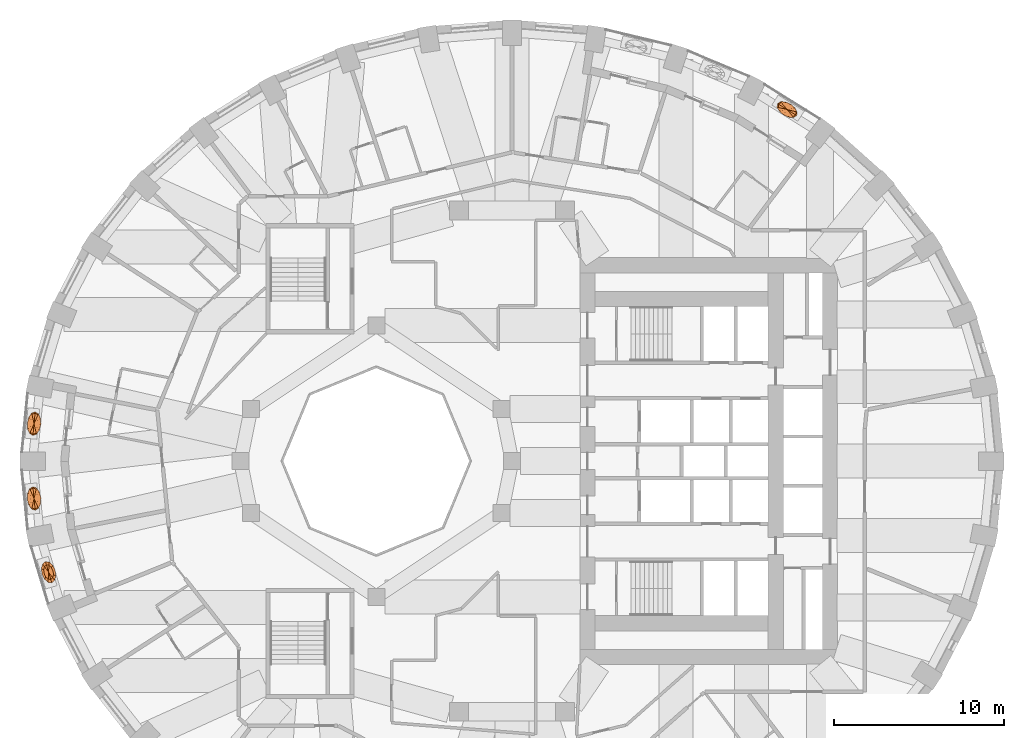
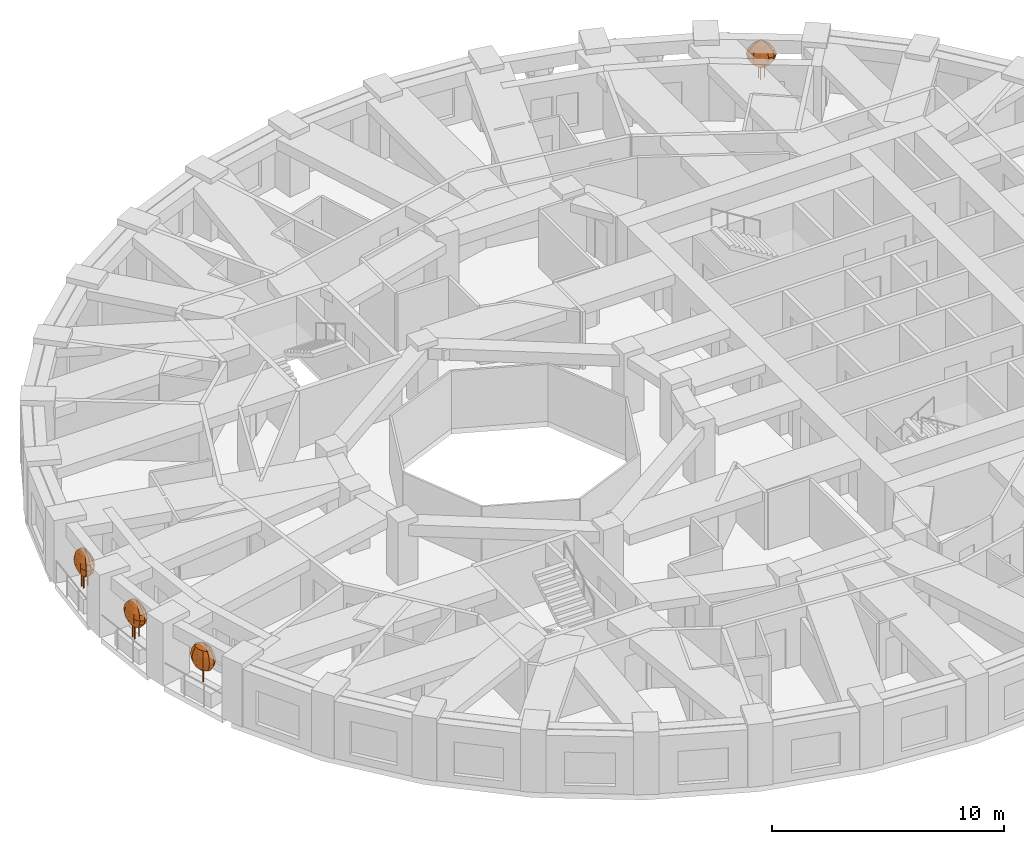
# One storey, part 12 of 13: 4 geographic elements.
"""IFC4 building model written with IfcOpenShell, lengths in metres."""

from ifc_helpers import new_model, si_unit, direction, frame, origin, place, context, subcontext, project, spatial, faceted_brep, material, constituent, constituent_set, type_object, element, save


model = new_model("IFC4")

# Units and contexts
model_context = context("Model", 3, precision=1e-05, world=origin(), true_north=direction((0.0, 1.0)))
body_context = subcontext(model_context, "Body", "Model", "MODEL_VIEW")
ifc_project = project(units=[si_unit("LENGTHUNIT", "METRE"), si_unit("AREAUNIT", "SQUARE_METRE"), si_unit("VOLUMEUNIT", "CUBIC_METRE"), si_unit("PLANEANGLEUNIT", "RADIAN"), si_unit("MASSUNIT", "GRAM", prefix="KILO")], contexts=[model_context])

# Site, building, storey
site_placement = place(None, origin())
site = spatial("IfcSite", under=ifc_project, at=site_placement, CompositionType="ELEMENT")
building_placement = place(site_placement, origin())
building = spatial("IfcBuilding", under=site, at=building_placement, Name="Taillehof Tower", CompositionType="ELEMENT")
storey_placement = place(building_placement, frame((0.0, 0.0, 61.300048828125)))
storey = spatial("IfcBuildingStorey", under=building, at=storey_placement, Name="L16", CompositionType="ELEMENT", Elevation=61.300048828125)

# Geographic elements
ifc_material_1 = material(Name="Tree bark", Category="timber")
ifc_constituent_1 = constituent(ifc_material_1, Name="Trunk", Category="timber")
ifc_material_2 = material(Name="Tree foliage")
ifc_constituent_2 = constituent(ifc_material_2, Name="Crown")
ifc_constituent_set_1 = constituent_set(constituents=[ifc_constituent_1, ifc_constituent_2], Name="Tree TR1 Columnar hornbeam")
geographic_element_type_1 = type_object("IfcGeographicElementType", Name="Tree TR1 Columnar hornbeam", PredefinedType="USERDEFINED", material=ifc_constituent_set_1)
geographic_element_1_placement = place(storey_placement, frame((-27.314697265625, -6.548583984375, 0.75)))
element("IfcGeographicElement", 1, at=geographic_element_1_placement, inside=storey, type_object=geographic_element_type_1, Name="Tree TR1 Columnar hornbeam", ObjectType="TREE", PredefinedType="USERDEFINED", context=body_context, shape_type="Brep", body=[
    faceted_brep([(0.030029296875, 0.0, 0.0), (0.021240234375, 0.021240234375, 0.0), (0.021240234375, 0.021240234375, 1.092529296875), (0.030029296875, 0.0, 1.092529296875), (0.0, 0.030029296875, 0.0), (0.0, 0.030029296875, 1.092529296875), (-0.021240234375, 0.021240234375, 0.0), (-0.021240234375, 0.021240234375, 1.092529296875), (-0.030029296875, 0.0, 0.0), (-0.030029296875, 0.0, 1.092529296875), (-0.021240234375, -0.021240234375, 0.0), (-0.021240234375, -0.021240234375, 1.092529296875), (0.0, -0.030029296875, 0.0), (0.0, -0.030029296875, 1.092529296875), (0.021240234375, -0.021240234375, 0.0), (0.021240234375, -0.021240234375, 1.092529296875)], [[[0, 1, 2, 3]], [[1, 4, 5, 2]], [[4, 6, 7, 5]], [[6, 8, 9, 7]], [[8, 10, 11, 9]], [[10, 12, 13, 11]], [[12, 14, 15, 13]], [[14, 0, 3, 15]], [[14, 12, 10, 8, 6, 4, 1, 0]], [[3, 2, 5, 7, 9, 11, 13, 15]]]),
    faceted_brep([(0.0, 0.0, 0.550048828125), (0.2412109375, -0.3291015625, 0.808349609375), (0.12744140625, -0.42529296875, 0.808349609375), (0.290283203125, -0.144775390625, 0.808349609375), (0.26171875, 0.078369140625, 0.808349609375), (0.162841796875, 0.280517578125, 0.808349609375), (0.0205078125, 0.407470703125, 0.808349609375), (-0.12744140625, 0.42529296875, 0.808349609375), (-0.2412109375, 0.3291015625, 0.808349609375), (-0.290283203125, 0.144775390625, 0.808349609375), (-0.26171875, -0.078369140625, 0.808349609375), (-0.162841796875, -0.280517578125, 0.808349609375), (-0.0205078125, -0.407470703125, 0.808349609375), (0.326416015625, -0.445068359375, 1.066650390625), (0.17236328125, -0.5751953125, 1.066650390625), (0.392822265625, -0.19580078125, 1.066650390625), (0.35400390625, 0.106201171875, 1.066650390625), (0.220458984375, 0.379638671875, 1.066650390625), (0.027587890625, 0.55126953125, 1.066650390625), (-0.17236328125, 0.5751953125, 1.066650390625), (-0.326416015625, 0.445068359375, 1.066650390625), (-0.392822265625, 0.19580078125, 1.066650390625), (-0.35400390625, -0.106201171875, 1.066650390625), (-0.220458984375, -0.379638671875, 1.066650390625), (-0.027587890625, -0.55126953125, 1.066650390625), (0.353271484375, -0.481689453125, 1.324951171875), (0.1865234375, -0.62255859375, 1.324951171875), (0.425048828125, -0.2119140625, 1.324951171875), (0.383056640625, 0.11474609375, 1.324951171875), (0.238525390625, 0.410888671875, 1.324951171875), (0.030029296875, 0.5966796875, 1.324951171875), (-0.1865234375, 0.62255859375, 1.324951171875), (-0.353271484375, 0.481689453125, 1.324951171875), (-0.425048828125, 0.2119140625, 1.324951171875), (-0.383056640625, -0.11474609375, 1.324951171875), (-0.238525390625, -0.410888671875, 1.324951171875), (-0.030029296875, -0.5966796875, 1.324951171875), (0.326416015625, -0.445068359375, 1.583251953125), (0.17236328125, -0.5751953125, 1.583251953125), (0.392822265625, -0.19580078125, 1.583251953125), (0.35400390625, 0.106201171875, 1.583251953125), (0.220458984375, 0.379638671875, 1.583251953125), (0.027587890625, 0.55126953125, 1.583251953125), (-0.17236328125, 0.5751953125, 1.583251953125), (-0.326416015625, 0.445068359375, 1.583251953125), (-0.392822265625, 0.19580078125, 1.583251953125), (-0.35400390625, -0.106201171875, 1.583251953125), (-0.220458984375, -0.379638671875, 1.583251953125), (-0.027587890625, -0.55126953125, 1.583251953125), (0.2412109375, -0.3291015625, 1.841552734375), (0.12744140625, -0.42529296875, 1.841552734375), (0.290283203125, -0.144775390625, 1.841552734375), (0.26171875, 0.078369140625, 1.841552734375), (0.162841796875, 0.280517578125, 1.841552734375), (0.0205078125, 0.407470703125, 1.841552734375), (-0.12744140625, 0.42529296875, 1.841552734375), (-0.2412109375, 0.3291015625, 1.841552734375), (-0.290283203125, 0.144775390625, 1.841552734375), (-0.26171875, -0.078369140625, 1.841552734375), (-0.162841796875, -0.280517578125, 1.841552734375), (-0.0205078125, -0.407470703125, 1.841552734375), (0.0, 0.0, 2.10009765625)], [[[0, 1, 2]], [[0, 3, 1]], [[0, 4, 3]], [[0, 5, 4]], [[0, 6, 5]], [[0, 7, 6]], [[0, 8, 7]], [[0, 9, 8]], [[0, 10, 9]], [[0, 11, 10]], [[0, 12, 11]], [[0, 2, 12]], [[2, 1, 13, 14]], [[1, 3, 15, 13]], [[3, 4, 16, 15]], [[4, 5, 17, 16]], [[5, 6, 18, 17]], [[6, 7, 19, 18]], [[7, 8, 20, 19]], [[8, 9, 21, 20]], [[9, 10, 22, 21]], [[10, 11, 23, 22]], [[11, 12, 24, 23]], [[12, 2, 14, 24]], [[14, 13, 25, 26]], [[13, 15, 27, 25]], [[15, 16, 28, 27]], [[16, 17, 29, 28]], [[17, 18, 30, 29]], [[18, 19, 31, 30]], [[19, 20, 32, 31]], [[20, 21, 33, 32]], [[21, 22, 34, 33]], [[22, 23, 35, 34]], [[23, 24, 36, 35]], [[24, 14, 26, 36]], [[26, 25, 37, 38]], [[25, 27, 39, 37]], [[27, 28, 40, 39]], [[28, 29, 41, 40]], [[29, 30, 42, 41]], [[30, 31, 43, 42]], [[31, 32, 44, 43]], [[32, 33, 45, 44]], [[33, 34, 46, 45]], [[34, 35, 47, 46]], [[35, 36, 48, 47]], [[36, 26, 38, 48]], [[38, 37, 49, 50]], [[37, 39, 51, 49]], [[39, 40, 52, 51]], [[40, 41, 53, 52]], [[41, 42, 54, 53]], [[42, 43, 55, 54]], [[43, 44, 56, 55]], [[44, 45, 57, 56]], [[45, 46, 58, 57]], [[46, 47, 59, 58]], [[47, 48, 60, 59]], [[48, 38, 50, 60]], [[50, 49, 61]], [[49, 51, 61]], [[51, 52, 61]], [[52, 53, 61]], [[53, 54, 61]], [[54, 55, 61]], [[55, 56, 61]], [[56, 57, 61]], [[57, 58, 61]], [[58, 59, 61]], [[59, 60, 61]], [[60, 50, 61]]]),
])
ifc_material_3 = material(Name="Tree bark", Category="timber")
ifc_constituent_3 = constituent(ifc_material_3, Name="Trunk", Category="timber")
ifc_material_4 = material(Name="Tree foliage")
ifc_constituent_4 = constituent(ifc_material_4, Name="Crown")
ifc_constituent_set_2 = constituent_set(constituents=[ifc_constituent_3, ifc_constituent_4], Name="Tree TR3 Multi-stem serviceberry")
geographic_element_type_2 = type_object("IfcGeographicElementType", Name="Tree TR3 Multi-stem serviceberry", PredefinedType="USERDEFINED", material=ifc_constituent_set_2)
geographic_element_2_placement = place(storey_placement, frame((-28.17138671875, 2.205322265625, 0.75)))
element("IfcGeographicElement", 2, at=geographic_element_2_placement, inside=storey, type_object=geographic_element_type_2, Name="Tree TR3 Multi-stem serviceberry", ObjectType="TREE", PredefinedType="USERDEFINED", context=body_context, shape_type="Brep", body=[
    faceted_brep([(0.203857421875, 0.0, 0.0), (0.1953125, 0.0205078125, 0.0), (0.1953125, 0.0205078125, 1.04248046875), (0.203857421875, 0.0, 1.04248046875), (0.175048828125, 0.02880859375, 0.0), (0.175048828125, 0.02880859375, 1.04248046875), (0.154541015625, 0.0205078125, 0.0), (0.154541015625, 0.0205078125, 1.04248046875), (0.146240234375, 0.0, 0.0), (0.146240234375, 0.0, 1.04248046875), (0.154541015625, -0.0205078125, 0.0), (0.154541015625, -0.0205078125, 1.04248046875), (0.175048828125, -0.02880859375, 0.0), (0.175048828125, -0.02880859375, 1.04248046875), (0.1953125, -0.0205078125, 0.0), (0.1953125, -0.0205078125, 1.04248046875)], [[[0, 1, 2, 3]], [[1, 4, 5, 2]], [[4, 6, 7, 5]], [[6, 8, 9, 7]], [[8, 10, 11, 9]], [[10, 12, 13, 11]], [[12, 14, 15, 13]], [[14, 0, 3, 15]], [[14, 12, 10, 8, 6, 4, 1, 0]], [[3, 2, 5, 7, 9, 11, 13, 15]]]),
    faceted_brep([(-0.05859375, 0.086669921875, 0.0), (-0.067138671875, 0.10693359375, 0.0), (-0.067138671875, 0.10693359375, 1.04248046875), (-0.05859375, 0.086669921875, 1.04248046875), (-0.08740234375, 0.115478515625, 0.0), (-0.08740234375, 0.115478515625, 1.04248046875), (-0.10791015625, 0.10693359375, 0.0), (-0.10791015625, 0.10693359375, 1.04248046875), (-0.116455078125, 0.086669921875, 0.0), (-0.116455078125, 0.086669921875, 1.04248046875), (-0.10791015625, 0.066162109375, 0.0), (-0.10791015625, 0.066162109375, 1.04248046875), (-0.08740234375, 0.0576171875, 0.0), (-0.08740234375, 0.0576171875, 1.04248046875), (-0.067138671875, 0.066162109375, 0.0), (-0.067138671875, 0.066162109375, 1.04248046875)], [[[0, 1, 2, 3]], [[1, 4, 5, 2]], [[4, 6, 7, 5]], [[6, 8, 9, 7]], [[8, 10, 11, 9]], [[10, 12, 13, 11]], [[12, 14, 15, 13]], [[14, 0, 3, 15]], [[14, 12, 10, 8, 6, 4, 1, 0]], [[3, 2, 5, 7, 9, 11, 13, 15]]]),
    faceted_brep([(-0.05859375, -0.086669921875, 0.0), (-0.067138671875, -0.066162109375, 0.0), (-0.067138671875, -0.066162109375, 1.04248046875), (-0.05859375, -0.086669921875, 1.04248046875), (-0.08740234375, -0.0576171875, 0.0), (-0.08740234375, -0.0576171875, 1.04248046875), (-0.10791015625, -0.066162109375, 0.0), (-0.10791015625, -0.066162109375, 1.04248046875), (-0.116455078125, -0.086669921875, 0.0), (-0.116455078125, -0.086669921875, 1.04248046875), (-0.10791015625, -0.10693359375, 0.0), (-0.10791015625, -0.10693359375, 1.04248046875), (-0.08740234375, -0.115478515625, 0.0), (-0.08740234375, -0.115478515625, 1.04248046875), (-0.067138671875, -0.10693359375, 0.0), (-0.067138671875, -0.10693359375, 1.04248046875)], [[[0, 1, 2, 3]], [[1, 4, 5, 2]], [[4, 6, 7, 5]], [[6, 8, 9, 7]], [[8, 10, 11, 9]], [[10, 12, 13, 11]], [[12, 14, 15, 13]], [[14, 0, 3, 15]], [[14, 12, 10, 8, 6, 4, 1, 0]], [[3, 2, 5, 7, 9, 11, 13, 15]]]),
    faceted_brep([(0.0, 0.0, 0.5), (0.080322265625, -0.357666015625, 0.75830078125), (-0.0390625, -0.400146484375, 0.75830078125), (0.178466796875, -0.219482421875, 0.75830078125), (0.228759765625, -0.0224609375, 0.75830078125), (0.217529296875, 0.1806640625, 0.75830078125), (0.148193359375, 0.33544921875, 0.75830078125), (0.0390625, 0.400146484375, 0.75830078125), (-0.080322265625, 0.357666015625, 0.75830078125), (-0.178466796875, 0.219482421875, 0.75830078125), (-0.228759765625, 0.0224609375, 0.75830078125), (-0.217529296875, -0.1806640625, 0.75830078125), (-0.148193359375, -0.33544921875, 0.75830078125), (0.124755859375, -0.55517578125, 1.0166015625), (-0.060791015625, -0.620849609375, 1.0166015625), (0.27685546875, -0.340576171875, 1.0166015625), (0.354736328125, -0.03466796875, 1.0166015625), (0.337646484375, 0.280517578125, 1.0166015625), (0.22998046875, 0.5205078125, 1.0166015625), (0.060791015625, 0.620849609375, 1.0166015625), (-0.124755859375, 0.55517578125, 1.0166015625), (-0.27685546875, 0.340576171875, 1.0166015625), (-0.354736328125, 0.03466796875, 1.0166015625), (-0.337646484375, -0.280517578125, 1.0166015625), (-0.22998046875, -0.5205078125, 1.0166015625), (0.139892578125, -0.622802734375, 1.27490234375), (-0.068115234375, -0.69677734375, 1.27490234375), (0.310791015625, -0.382080078125, 1.27490234375), (0.398193359375, -0.0390625, 1.27490234375), (0.37890625, 0.314697265625, 1.27490234375), (0.258056640625, 0.583740234375, 1.27490234375), (0.068115234375, 0.69677734375, 1.27490234375), (-0.139892578125, 0.622802734375, 1.27490234375), (-0.310791015625, 0.382080078125, 1.27490234375), (-0.398193359375, 0.0390625, 1.27490234375), (-0.37890625, -0.314697265625, 1.27490234375), (-0.258056640625, -0.583740234375, 1.27490234375), (0.124755859375, -0.55517578125, 1.533447265625), (-0.060791015625, -0.620849609375, 1.533447265625), (0.27685546875, -0.340576171875, 1.533447265625), (0.354736328125, -0.03466796875, 1.533447265625), (0.337646484375, 0.280517578125, 1.533447265625), (0.22998046875, 0.5205078125, 1.533447265625), (0.060791015625, 0.620849609375, 1.533447265625), (-0.124755859375, 0.55517578125, 1.533447265625), (-0.27685546875, 0.340576171875, 1.533447265625), (-0.354736328125, 0.03466796875, 1.533447265625), (-0.337646484375, -0.280517578125, 1.533447265625), (-0.22998046875, -0.5205078125, 1.533447265625), (0.080322265625, -0.357666015625, 1.791748046875), (-0.0390625, -0.400146484375, 1.791748046875), (0.178466796875, -0.219482421875, 1.791748046875), (0.228759765625, -0.0224609375, 1.791748046875), (0.217529296875, 0.1806640625, 1.791748046875), (0.148193359375, 0.33544921875, 1.791748046875), (0.0390625, 0.400146484375, 1.791748046875), (-0.080322265625, 0.357666015625, 1.791748046875), (-0.178466796875, 0.219482421875, 1.791748046875), (-0.228759765625, 0.0224609375, 1.791748046875), (-0.217529296875, -0.1806640625, 1.791748046875), (-0.148193359375, -0.33544921875, 1.791748046875), (0.0, 0.0, 2.050048828125)], [[[0, 1, 2]], [[0, 3, 1]], [[0, 4, 3]], [[0, 5, 4]], [[0, 6, 5]], [[0, 7, 6]], [[0, 8, 7]], [[0, 9, 8]], [[0, 10, 9]], [[0, 11, 10]], [[0, 12, 11]], [[0, 2, 12]], [[2, 1, 13, 14]], [[1, 3, 15, 13]], [[3, 4, 16, 15]], [[4, 5, 17, 16]], [[5, 6, 18, 17]], [[6, 7, 19, 18]], [[7, 8, 20, 19]], [[8, 9, 21, 20]], [[9, 10, 22, 21]], [[10, 11, 23, 22]], [[11, 12, 24, 23]], [[12, 2, 14, 24]], [[14, 13, 25, 26]], [[13, 15, 27, 25]], [[15, 16, 28, 27]], [[16, 17, 29, 28]], [[17, 18, 30, 29]], [[18, 19, 31, 30]], [[19, 20, 32, 31]], [[20, 21, 33, 32]], [[21, 22, 34, 33]], [[22, 23, 35, 34]], [[23, 24, 36, 35]], [[24, 14, 26, 36]], [[26, 25, 37, 38]], [[25, 27, 39, 37]], [[27, 28, 40, 39]], [[28, 29, 41, 40]], [[29, 30, 42, 41]], [[30, 31, 43, 42]], [[31, 32, 44, 43]], [[32, 33, 45, 44]], [[33, 34, 46, 45]], [[34, 35, 47, 46]], [[35, 36, 48, 47]], [[36, 26, 38, 48]], [[38, 37, 49, 50]], [[37, 39, 51, 49]], [[39, 40, 52, 51]], [[40, 41, 53, 52]], [[41, 42, 54, 53]], [[42, 43, 55, 54]], [[43, 44, 56, 55]], [[44, 45, 57, 56]], [[45, 46, 58, 57]], [[46, 47, 59, 58]], [[47, 48, 60, 59]], [[48, 38, 50, 60]], [[50, 49, 61]], [[49, 51, 61]], [[51, 52, 61]], [[52, 53, 61]], [[53, 54, 61]], [[54, 55, 61]], [[55, 56, 61]], [[56, 57, 61]], [[57, 58, 61]], [[58, 59, 61]], [[59, 60, 61]], [[60, 50, 61]]]),
])
geographic_element_3_placement = place(storey_placement, frame((-28.17138671875, -2.205322265625, 0.75)))
element("IfcGeographicElement", 3, at=geographic_element_3_placement, inside=storey, type_object=geographic_element_type_2, Name="Tree TR3 Multi-stem serviceberry", ObjectType="TREE", PredefinedType="USERDEFINED", context=body_context, shape_type="Brep", body=[
    faceted_brep([(0.203857421875, 0.0, 0.0), (0.1953125, 0.0205078125, 0.0), (0.1953125, 0.0205078125, 1.04248046875), (0.203857421875, 0.0, 1.04248046875), (0.175048828125, 0.02880859375, 0.0), (0.175048828125, 0.02880859375, 1.04248046875), (0.154541015625, 0.0205078125, 0.0), (0.154541015625, 0.0205078125, 1.04248046875), (0.146240234375, 0.0, 0.0), (0.146240234375, 0.0, 1.04248046875), (0.154541015625, -0.0205078125, 0.0), (0.154541015625, -0.0205078125, 1.04248046875), (0.175048828125, -0.02880859375, 0.0), (0.175048828125, -0.02880859375, 1.04248046875), (0.1953125, -0.0205078125, 0.0), (0.1953125, -0.0205078125, 1.04248046875)], [[[0, 1, 2, 3]], [[1, 4, 5, 2]], [[4, 6, 7, 5]], [[6, 8, 9, 7]], [[8, 10, 11, 9]], [[10, 12, 13, 11]], [[12, 14, 15, 13]], [[14, 0, 3, 15]], [[14, 12, 10, 8, 6, 4, 1, 0]], [[3, 2, 5, 7, 9, 11, 13, 15]]]),
    faceted_brep([(-0.05859375, 0.086669921875, 0.0), (-0.067138671875, 0.10693359375, 0.0), (-0.067138671875, 0.10693359375, 1.04248046875), (-0.05859375, 0.086669921875, 1.04248046875), (-0.08740234375, 0.115478515625, 0.0), (-0.08740234375, 0.115478515625, 1.04248046875), (-0.10791015625, 0.10693359375, 0.0), (-0.10791015625, 0.10693359375, 1.04248046875), (-0.116455078125, 0.086669921875, 0.0), (-0.116455078125, 0.086669921875, 1.04248046875), (-0.10791015625, 0.066162109375, 0.0), (-0.10791015625, 0.066162109375, 1.04248046875), (-0.08740234375, 0.0576171875, 0.0), (-0.08740234375, 0.0576171875, 1.04248046875), (-0.067138671875, 0.066162109375, 0.0), (-0.067138671875, 0.066162109375, 1.04248046875)], [[[0, 1, 2, 3]], [[1, 4, 5, 2]], [[4, 6, 7, 5]], [[6, 8, 9, 7]], [[8, 10, 11, 9]], [[10, 12, 13, 11]], [[12, 14, 15, 13]], [[14, 0, 3, 15]], [[14, 12, 10, 8, 6, 4, 1, 0]], [[3, 2, 5, 7, 9, 11, 13, 15]]]),
    faceted_brep([(-0.05859375, -0.086669921875, 0.0), (-0.067138671875, -0.066162109375, 0.0), (-0.067138671875, -0.066162109375, 1.04248046875), (-0.05859375, -0.086669921875, 1.04248046875), (-0.08740234375, -0.0576171875, 0.0), (-0.08740234375, -0.0576171875, 1.04248046875), (-0.10791015625, -0.066162109375, 0.0), (-0.10791015625, -0.066162109375, 1.04248046875), (-0.116455078125, -0.086669921875, 0.0), (-0.116455078125, -0.086669921875, 1.04248046875), (-0.10791015625, -0.10693359375, 0.0), (-0.10791015625, -0.10693359375, 1.04248046875), (-0.08740234375, -0.115478515625, 0.0), (-0.08740234375, -0.115478515625, 1.04248046875), (-0.067138671875, -0.10693359375, 0.0), (-0.067138671875, -0.10693359375, 1.04248046875)], [[[0, 1, 2, 3]], [[1, 4, 5, 2]], [[4, 6, 7, 5]], [[6, 8, 9, 7]], [[8, 10, 11, 9]], [[10, 12, 13, 11]], [[12, 14, 15, 13]], [[14, 0, 3, 15]], [[14, 12, 10, 8, 6, 4, 1, 0]], [[3, 2, 5, 7, 9, 11, 13, 15]]]),
    faceted_brep([(0.0, 0.0, 0.5), (0.148193359375, -0.33544921875, 0.75830078125), (0.0390625, -0.400146484375, 0.75830078125), (0.217529296875, -0.1806640625, 0.75830078125), (0.228759765625, 0.0224609375, 0.75830078125), (0.178466796875, 0.219482421875, 0.75830078125), (0.080322265625, 0.357666015625, 0.75830078125), (-0.0390625, 0.400146484375, 0.75830078125), (-0.148193359375, 0.33544921875, 0.75830078125), (-0.217529296875, 0.1806640625, 0.75830078125), (-0.228759765625, -0.0224609375, 0.75830078125), (-0.178466796875, -0.219482421875, 0.75830078125), (-0.080322265625, -0.357666015625, 0.75830078125), (0.22998046875, -0.5205078125, 1.0166015625), (0.060791015625, -0.620849609375, 1.0166015625), (0.337646484375, -0.280517578125, 1.0166015625), (0.354736328125, 0.03466796875, 1.0166015625), (0.27685546875, 0.340576171875, 1.0166015625), (0.124755859375, 0.55517578125, 1.0166015625), (-0.060791015625, 0.620849609375, 1.0166015625), (-0.22998046875, 0.5205078125, 1.0166015625), (-0.337646484375, 0.280517578125, 1.0166015625), (-0.354736328125, -0.03466796875, 1.0166015625), (-0.27685546875, -0.340576171875, 1.0166015625), (-0.124755859375, -0.55517578125, 1.0166015625), (0.258056640625, -0.583740234375, 1.27490234375), (0.068115234375, -0.69677734375, 1.27490234375), (0.37890625, -0.314697265625, 1.27490234375), (0.398193359375, 0.0390625, 1.27490234375), (0.310791015625, 0.382080078125, 1.27490234375), (0.139892578125, 0.622802734375, 1.27490234375), (-0.068115234375, 0.69677734375, 1.27490234375), (-0.258056640625, 0.583740234375, 1.27490234375), (-0.37890625, 0.314697265625, 1.27490234375), (-0.398193359375, -0.0390625, 1.27490234375), (-0.310791015625, -0.382080078125, 1.27490234375), (-0.139892578125, -0.622802734375, 1.27490234375), (0.22998046875, -0.5205078125, 1.533447265625), (0.060791015625, -0.620849609375, 1.533447265625), (0.337646484375, -0.280517578125, 1.533447265625), (0.354736328125, 0.03466796875, 1.533447265625), (0.27685546875, 0.340576171875, 1.533447265625), (0.124755859375, 0.55517578125, 1.533447265625), (-0.060791015625, 0.620849609375, 1.533447265625), (-0.22998046875, 0.5205078125, 1.533447265625), (-0.337646484375, 0.280517578125, 1.533447265625), (-0.354736328125, -0.03466796875, 1.533447265625), (-0.27685546875, -0.340576171875, 1.533447265625), (-0.124755859375, -0.55517578125, 1.533447265625), (0.148193359375, -0.33544921875, 1.791748046875), (0.0390625, -0.400146484375, 1.791748046875), (0.217529296875, -0.1806640625, 1.791748046875), (0.228759765625, 0.0224609375, 1.791748046875), (0.178466796875, 0.219482421875, 1.791748046875), (0.080322265625, 0.357666015625, 1.791748046875), (-0.0390625, 0.400146484375, 1.791748046875), (-0.148193359375, 0.33544921875, 1.791748046875), (-0.217529296875, 0.1806640625, 1.791748046875), (-0.228759765625, -0.0224609375, 1.791748046875), (-0.178466796875, -0.219482421875, 1.791748046875), (-0.080322265625, -0.357666015625, 1.791748046875), (0.0, 0.0, 2.050048828125)], [[[0, 1, 2]], [[0, 3, 1]], [[0, 4, 3]], [[0, 5, 4]], [[0, 6, 5]], [[0, 7, 6]], [[0, 8, 7]], [[0, 9, 8]], [[0, 10, 9]], [[0, 11, 10]], [[0, 12, 11]], [[0, 2, 12]], [[2, 1, 13, 14]], [[1, 3, 15, 13]], [[3, 4, 16, 15]], [[4, 5, 17, 16]], [[5, 6, 18, 17]], [[6, 7, 19, 18]], [[7, 8, 20, 19]], [[8, 9, 21, 20]], [[9, 10, 22, 21]], [[10, 11, 23, 22]], [[11, 12, 24, 23]], [[12, 2, 14, 24]], [[14, 13, 25, 26]], [[13, 15, 27, 25]], [[15, 16, 28, 27]], [[16, 17, 29, 28]], [[17, 18, 30, 29]], [[18, 19, 31, 30]], [[19, 20, 32, 31]], [[20, 21, 33, 32]], [[21, 22, 34, 33]], [[22, 23, 35, 34]], [[23, 24, 36, 35]], [[24, 14, 26, 36]], [[26, 25, 37, 38]], [[25, 27, 39, 37]], [[27, 28, 40, 39]], [[28, 29, 41, 40]], [[29, 30, 42, 41]], [[30, 31, 43, 42]], [[31, 32, 44, 43]], [[32, 33, 45, 44]], [[33, 34, 46, 45]], [[34, 35, 47, 46]], [[35, 36, 48, 47]], [[36, 26, 38, 48]], [[38, 37, 49, 50]], [[37, 39, 51, 49]], [[39, 40, 52, 51]], [[40, 41, 53, 52]], [[41, 42, 54, 53]], [[42, 43, 55, 54]], [[43, 44, 56, 55]], [[44, 45, 57, 56]], [[45, 46, 58, 57]], [[46, 47, 59, 58]], [[47, 48, 60, 59]], [[48, 38, 50, 60]], [[50, 49, 61]], [[49, 51, 61]], [[51, 52, 61]], [[52, 53, 61]], [[53, 54, 61]], [[54, 55, 61]], [[55, 56, 61]], [[56, 57, 61]], [[57, 58, 61]], [[58, 59, 61]], [[59, 60, 61]], [[60, 50, 61]]]),
])
geographic_element_4_placement = place(storey_placement, frame((16.2158203125, 20.720703125, 0.75)))
element("IfcGeographicElement", 4, at=geographic_element_4_placement, inside=storey, type_object=geographic_element_type_2, Name="Tree TR3 Multi-stem serviceberry", ObjectType="TREE", PredefinedType="USERDEFINED", context=body_context, shape_type="Brep", body=[
    faceted_brep([(0.195068359375, 0.0, 0.0), (0.186767578125, 0.0205078125, 0.0), (0.186767578125, 0.0205078125, 1.04248046875), (0.195068359375, 0.0, 1.04248046875), (0.166259765625, 0.02880859375, 0.0), (0.166259765625, 0.02880859375, 1.04248046875), (0.145751953125, 0.0205078125, 0.0), (0.145751953125, 0.0205078125, 1.04248046875), (0.137451171875, 0.0, 0.0), (0.137451171875, 0.0, 1.04248046875), (0.145751953125, -0.0205078125, 0.0), (0.145751953125, -0.0205078125, 1.04248046875), (0.166259765625, -0.02880859375, 0.0), (0.166259765625, -0.02880859375, 1.04248046875), (0.186767578125, -0.0205078125, 0.0), (0.186767578125, -0.0205078125, 1.04248046875)], [[[0, 1, 2, 3]], [[1, 4, 5, 2]], [[4, 6, 7, 5]], [[6, 8, 9, 7]], [[8, 10, 11, 9]], [[10, 12, 13, 11]], [[12, 14, 15, 13]], [[14, 0, 3, 15]], [[14, 12, 10, 8, 6, 4, 1, 0]], [[3, 2, 5, 7, 9, 11, 13, 15]]]),
    faceted_brep([(-0.05419921875, 0.082275390625, 0.0), (-0.062744140625, 0.102783203125, 0.0), (-0.062744140625, 0.102783203125, 1.04248046875), (-0.05419921875, 0.082275390625, 1.04248046875), (-0.0830078125, 0.111083984375, 0.0), (-0.0830078125, 0.111083984375, 1.04248046875), (-0.103515625, 0.102783203125, 0.0), (-0.103515625, 0.102783203125, 1.04248046875), (-0.112060546875, 0.082275390625, 0.0), (-0.112060546875, 0.082275390625, 1.04248046875), (-0.103515625, 0.061767578125, 0.0), (-0.103515625, 0.061767578125, 1.04248046875), (-0.0830078125, 0.053466796875, 0.0), (-0.0830078125, 0.053466796875, 1.04248046875), (-0.062744140625, 0.061767578125, 0.0), (-0.062744140625, 0.061767578125, 1.04248046875)], [[[0, 1, 2, 3]], [[1, 4, 5, 2]], [[4, 6, 7, 5]], [[6, 8, 9, 7]], [[8, 10, 11, 9]], [[10, 12, 13, 11]], [[12, 14, 15, 13]], [[14, 0, 3, 15]], [[14, 12, 10, 8, 6, 4, 1, 0]], [[3, 2, 5, 7, 9, 11, 13, 15]]]),
    faceted_brep([(-0.05419921875, -0.082275390625, 0.0), (-0.062744140625, -0.061767578125, 0.0), (-0.062744140625, -0.061767578125, 1.04248046875), (-0.05419921875, -0.082275390625, 1.04248046875), (-0.0830078125, -0.053466796875, 0.0), (-0.0830078125, -0.053466796875, 1.04248046875), (-0.103515625, -0.061767578125, 0.0), (-0.103515625, -0.061767578125, 1.04248046875), (-0.112060546875, -0.082275390625, 0.0), (-0.112060546875, -0.082275390625, 1.04248046875), (-0.103515625, -0.102783203125, 0.0), (-0.103515625, -0.102783203125, 1.04248046875), (-0.0830078125, -0.111083984375, 0.0), (-0.0830078125, -0.111083984375, 1.04248046875), (-0.062744140625, -0.102783203125, 0.0), (-0.062744140625, -0.102783203125, 1.04248046875)], [[[0, 1, 2, 3]], [[1, 4, 5, 2]], [[4, 6, 7, 5]], [[6, 8, 9, 7]], [[8, 10, 11, 9]], [[10, 12, 13, 11]], [[12, 14, 15, 13]], [[14, 0, 3, 15]], [[14, 12, 10, 8, 6, 4, 1, 0]], [[3, 2, 5, 7, 9, 11, 13, 15]]]),
    faceted_brep([(0.0, 0.0, 0.5), (-0.33837890625, 0.0830078125, 0.75830078125), (-0.32373046875, 0.20263671875, 0.75830078125), (-0.26220703125, -0.058837890625, 0.75830078125), (-0.11572265625, -0.18505859375, 0.75830078125), (0.0615234375, -0.261474609375, 0.75830078125), (0.222412109375, -0.26806640625, 0.75830078125), (0.32373046875, -0.20263671875, 0.75830078125), (0.33837890625, -0.0830078125, 0.75830078125), (0.26220703125, 0.058837890625, 0.75830078125), (0.11572265625, 0.18505859375, 0.75830078125), (-0.0615234375, 0.261474609375, 0.75830078125), (-0.222412109375, 0.26806640625, 0.75830078125), (-0.52490234375, 0.12890625, 1.0166015625), (-0.50244140625, 0.314453125, 1.0166015625), (-0.40673828125, -0.09130859375, 1.0166015625), (-0.1796875, -0.287109375, 1.0166015625), (0.095703125, -0.40576171875, 1.0166015625), (0.34521484375, -0.415771484375, 1.0166015625), (0.50244140625, -0.314453125, 1.0166015625), (0.52490234375, -0.12890625, 1.0166015625), (0.40673828125, 0.09130859375, 1.0166015625), (0.1796875, 0.287109375, 1.0166015625), (-0.095703125, 0.40576171875, 1.0166015625), (-0.34521484375, 0.415771484375, 1.0166015625), (-0.5888671875, 0.14453125, 1.27490234375), (-0.563720703125, 0.352783203125, 1.27490234375), (-0.45654296875, -0.1025390625, 1.27490234375), (-0.20166015625, -0.322021484375, 1.27490234375), (0.107177734375, -0.455322265625, 1.27490234375), (0.387451171875, -0.466552734375, 1.27490234375), (0.563720703125, -0.352783203125, 1.27490234375), (0.5888671875, -0.14453125, 1.27490234375), (0.45654296875, 0.1025390625, 1.27490234375), (0.20166015625, 0.322021484375, 1.27490234375), (-0.107177734375, 0.455322265625, 1.27490234375), (-0.387451171875, 0.466552734375, 1.27490234375), (-0.52490234375, 0.12890625, 1.533447265625), (-0.50244140625, 0.314453125, 1.533447265625), (-0.40673828125, -0.09130859375, 1.533447265625), (-0.1796875, -0.287109375, 1.533447265625), (0.095703125, -0.40576171875, 1.533447265625), (0.34521484375, -0.415771484375, 1.533447265625), (0.50244140625, -0.314453125, 1.533447265625), (0.52490234375, -0.12890625, 1.533447265625), (0.40673828125, 0.09130859375, 1.533447265625), (0.1796875, 0.287109375, 1.533447265625), (-0.095703125, 0.40576171875, 1.533447265625), (-0.34521484375, 0.415771484375, 1.533447265625), (-0.33837890625, 0.0830078125, 1.791748046875), (-0.32373046875, 0.20263671875, 1.791748046875), (-0.26220703125, -0.058837890625, 1.791748046875), (-0.11572265625, -0.18505859375, 1.791748046875), (0.0615234375, -0.261474609375, 1.791748046875), (0.222412109375, -0.26806640625, 1.791748046875), (0.32373046875, -0.20263671875, 1.791748046875), (0.33837890625, -0.0830078125, 1.791748046875), (0.26220703125, 0.058837890625, 1.791748046875), (0.11572265625, 0.18505859375, 1.791748046875), (-0.0615234375, 0.261474609375, 1.791748046875), (-0.222412109375, 0.26806640625, 1.791748046875), (0.0, 0.0, 2.050048828125)], [[[0, 1, 2]], [[0, 3, 1]], [[0, 4, 3]], [[0, 5, 4]], [[0, 6, 5]], [[0, 7, 6]], [[0, 8, 7]], [[0, 9, 8]], [[0, 10, 9]], [[0, 11, 10]], [[0, 12, 11]], [[0, 2, 12]], [[2, 1, 13, 14]], [[1, 3, 15, 13]], [[3, 4, 16, 15]], [[4, 5, 17, 16]], [[5, 6, 18, 17]], [[6, 7, 19, 18]], [[7, 8, 20, 19]], [[8, 9, 21, 20]], [[9, 10, 22, 21]], [[10, 11, 23, 22]], [[11, 12, 24, 23]], [[12, 2, 14, 24]], [[14, 13, 25, 26]], [[13, 15, 27, 25]], [[15, 16, 28, 27]], [[16, 17, 29, 28]], [[17, 18, 30, 29]], [[18, 19, 31, 30]], [[19, 20, 32, 31]], [[20, 21, 33, 32]], [[21, 22, 34, 33]], [[22, 23, 35, 34]], [[23, 24, 36, 35]], [[24, 14, 26, 36]], [[26, 25, 37, 38]], [[25, 27, 39, 37]], [[27, 28, 40, 39]], [[28, 29, 41, 40]], [[29, 30, 42, 41]], [[30, 31, 43, 42]], [[31, 32, 44, 43]], [[32, 33, 45, 44]], [[33, 34, 46, 45]], [[34, 35, 47, 46]], [[35, 36, 48, 47]], [[36, 26, 38, 48]], [[38, 37, 49, 50]], [[37, 39, 51, 49]], [[39, 40, 52, 51]], [[40, 41, 53, 52]], [[41, 42, 54, 53]], [[42, 43, 55, 54]], [[43, 44, 56, 55]], [[44, 45, 57, 56]], [[45, 46, 58, 57]], [[46, 47, 59, 58]], [[47, 48, 60, 59]], [[48, 38, 50, 60]], [[50, 49, 61]], [[49, 51, 61]], [[51, 52, 61]], [[52, 53, 61]], [[53, 54, 61]], [[54, 55, 61]], [[55, 56, 61]], [[56, 57, 61]], [[57, 58, 61]], [[58, 59, 61]], [[59, 60, 61]], [[60, 50, 61]]]),
])

save(model, "model.ifc")
